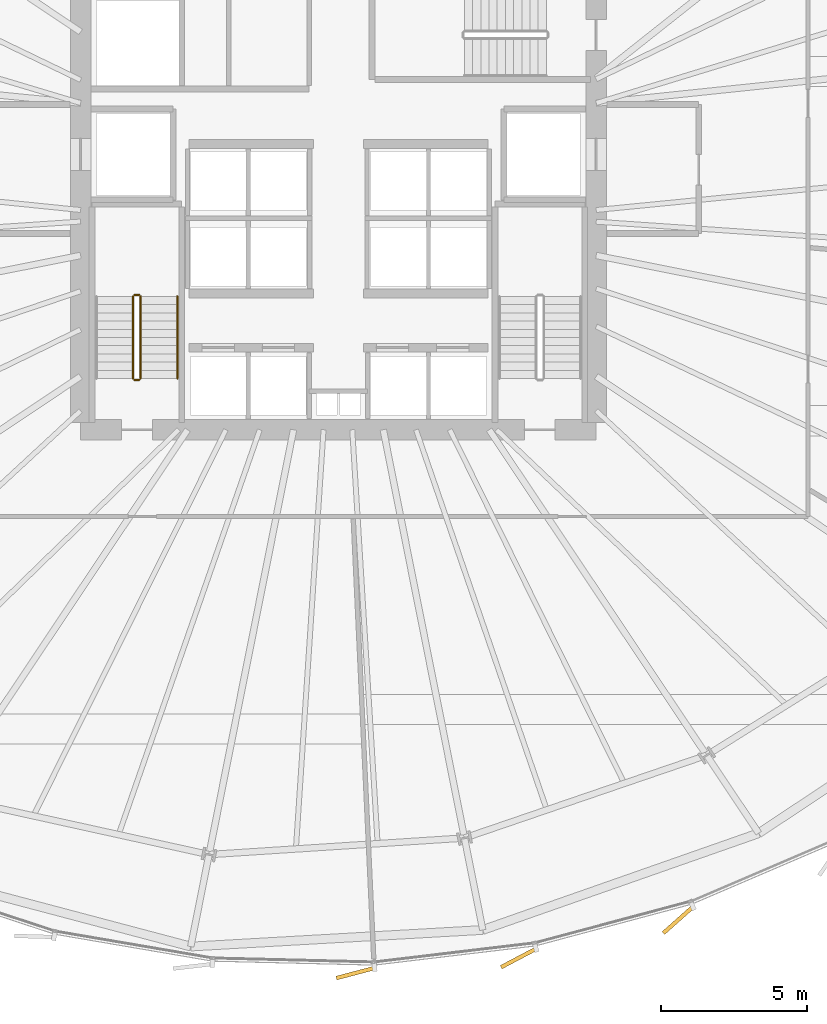
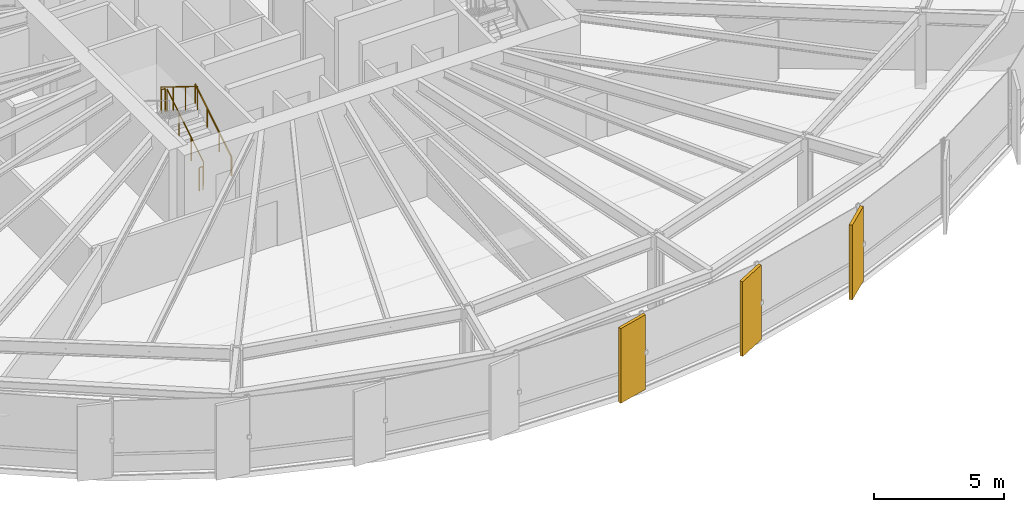
# One storey, part 34 of 39: 5 railings, 3 coverings.
"""IFC4 building model written with IfcOpenShell, lengths in metres."""

from ifc_helpers import new_model, si_unit, direction, frame, origin, origin_2d, place, context, subcontext, project, spatial, rectangle, circle, extrude, source, transform, mapped, material, layer, layer_set, type_object, element, save


model = new_model("IFC4")

# Units and contexts
model_context = context("Model", 3, precision=1e-05, world=origin(), true_north=direction((0.0, 1.0)))
body_context = subcontext(model_context, "Body", "Model", "MODEL_VIEW")
ifc_project = project(units=[si_unit("LENGTHUNIT", "METRE"), si_unit("AREAUNIT", "SQUARE_METRE"), si_unit("VOLUMEUNIT", "CUBIC_METRE"), si_unit("PLANEANGLEUNIT", "RADIAN"), si_unit("MASSUNIT", "GRAM", prefix="KILO"), si_unit("THERMODYNAMICTEMPERATUREUNIT", "KELVIN")], contexts=[model_context])

# Site, building, storey
site_placement = place(None, origin())
site = spatial("IfcSite", under=ifc_project, at=site_placement, CompositionType="ELEMENT")
building_placement = place(site_placement, origin())
building = spatial("IfcBuilding", under=site, at=building_placement, Name="Kethvar Cultural Tower", CompositionType="ELEMENT")
storey_placement = place(building_placement, frame((0.0, 0.0, 41.0)))
storey = spatial("IfcBuildingStorey", under=building, at=storey_placement, Name="L09", CompositionType="ELEMENT", Elevation=41.0)

# Railings
ifc_material_1 = material(Name="Steel S355J2", Category="steel")
railing_type_1 = type_object("IfcRailingType", Name="RL-STAIR-GUARD", PredefinedType="BALUSTRADE", material=ifc_material_1)
railing_1_placement = place(storey_placement, frame((40.050048828125, 21.85009765625, 0.172607421875)))
element("IfcRailing", 1, at=railing_1_placement, inside=storey, type_object=railing_type_1, Name="L09 ST-01 stair guard 1", PredefinedType="BALUSTRADE", context=body_context, shape_type="SweptSolid", body=[
    extrude(circle(Radius=0.02392578125, at=origin_2d()), frame((0.0, 0.0, 1.09619140625), z_axis=(0.0, 0.851069175582, 0.525053576669), x_axis=(-1.0, 0.0, 0.0)), (0.0, 0.0, 1.0), 3.289794921875),
    extrude(circle(Radius=0.02099609375, at=origin_2d()), origin(), (0.0, 0.0, 1.0), 1.072021484375),
    extrude(circle(Radius=0.02099609375, at=origin_2d()), frame((0.0, 0.933349609375, 0.57568359375)), (0.0, 0.0, 1.0), 1.072021484375),
    extrude(circle(Radius=0.02099609375, at=origin_2d()), frame((0.0, 1.866455078125, 1.151611328125)), (0.0, 0.0, 1.0), 1.072021484375),
    extrude(circle(Radius=0.02099609375, at=origin_2d()), frame((0.0, 2.7998046875, 1.727294921875)), (0.0, 0.0, 1.0), 1.072021484375),
])
railing_2_placement = place(storey_placement, frame((40.0, 24.699951171875, 1.89990234375)))
element("IfcRailing", 2, at=railing_2_placement, inside=storey, type_object=railing_type_1, Name="L09 ST-01 stair guard 2", PredefinedType="BALUSTRADE", context=body_context, shape_type="SweptSolid", body=[
    extrude(circle(Radius=0.02392578125, at=origin_2d()), frame((0.0, 0.0, 1.09619140625), z_axis=(-1.0, 0.0, 0.0), x_axis=(0.0, -1.0, 0.0)), (0.0, 0.0, 1.0), 0.159912109375),
    extrude(circle(Radius=0.02099609375, at=origin_2d()), origin(), (0.0, 0.0, 1.0), 1.072021484375),
    extrude(circle(Radius=0.02099609375, at=origin_2d()), frame((-0.159912109375, 0.0, 0.0)), (0.0, 0.0, 1.0), 1.072021484375),
])
railing_3_placement = place(storey_placement, frame((39.7900390625, 24.64990234375, 2.07275390625)))
element("IfcRailing", 3, at=railing_3_placement, inside=storey, type_object=railing_type_1, Name="L09 ST-01 stair guard 3", PredefinedType="BALUSTRADE", context=body_context, shape_type="SweptSolid", body=[
    extrude(circle(Radius=0.02392578125, at=origin_2d()), frame((0.0, 0.0, 1.09619140625), z_axis=(0.0, -0.851069175582, 0.525053576669), x_axis=(1.0, 0.0, 0.0)), (0.0, 0.0, 1.0), 3.289794921875),
    extrude(circle(Radius=0.02099609375, at=origin_2d()), origin(), (0.0, 0.0, 1.0), 1.072021484375),
    extrude(circle(Radius=0.02099609375, at=origin_2d()), frame((0.0, -0.933349609375, 0.57568359375)), (0.0, 0.0, 1.0), 1.072021484375),
    extrude(circle(Radius=0.02099609375, at=origin_2d()), frame((0.0, -1.866455078125, 1.151611328125)), (0.0, 0.0, 1.0), 1.072021484375),
    extrude(circle(Radius=0.02099609375, at=origin_2d()), frame((0.0, -2.7998046875, 1.727294921875)), (0.0, 0.0, 1.0), 1.072021484375),
])
railing_4_placement = place(storey_placement, frame((40.0, 21.800048828125, 0.0)))
element("IfcRailing", 4, at=railing_4_placement, inside=storey, type_object=railing_type_1, Name="L09 ST-01 stair guard 4", PredefinedType="BALUSTRADE", context=body_context, shape_type="SweptSolid", body=[
    extrude(circle(Radius=0.02392578125, at=origin_2d()), frame((0.0, 0.0, 1.09619140625), z_axis=(-1.0, 0.0, 0.0), x_axis=(0.0, -1.0, 0.0)), (0.0, 0.0, 1.0), 0.159912109375),
    extrude(circle(Radius=0.02099609375, at=origin_2d()), origin(), (0.0, 0.0, 1.0), 1.072021484375),
    extrude(circle(Radius=0.02099609375, at=origin_2d()), frame((-0.159912109375, 0.0, 0.0)), (0.0, 0.0, 1.0), 1.072021484375),
])
railing_type_2 = type_object("IfcRailingType", Name="RL-STAIR-HANDRAIL", PredefinedType="HANDRAIL", material=ifc_material_1)
railing_5_placement = place(storey_placement, frame((41.300048828125, 21.85009765625, 0.172607421875)))
element("IfcRailing", 5, at=railing_5_placement, inside=storey, type_object=railing_type_2, Name="L09 ST-01 stair handrail 1", PredefinedType="HANDRAIL", context=body_context, shape_type="SweptSolid", body=[
    extrude(circle(Radius=0.02392578125, at=origin_2d()), frame((0.0, 0.0, 0.8759765625), z_axis=(0.0, 0.851069175582, 0.525053576669), x_axis=(-1.0, 0.0, 0.0)), (0.0, 0.0, 1.0), 3.289794921875),
    extrude(circle(Radius=0.02099609375, at=origin_2d()), origin(), (0.0, 0.0, 1.0), 0.851806640625),
    extrude(circle(Radius=0.02099609375, at=origin_2d()), frame((0.0, 0.933349609375, 0.57568359375)), (0.0, 0.0, 1.0), 0.851806640625),
    extrude(circle(Radius=0.02099609375, at=origin_2d()), frame((0.0, 1.866455078125, 1.151611328125)), (0.0, 0.0, 1.0), 0.851806640625),
    extrude(circle(Radius=0.02099609375, at=origin_2d()), frame((0.0, 2.7998046875, 1.727294921875)), (0.0, 0.0, 1.0), 0.851806640625),
])

# Coverings
ifc_material_2 = material(Name="Extruded Architectural Terracotta", Category="masonry")
ifc_layer = layer(ifc_material_2, 0.135009765625, Name="Extruded Architectural Terracotta", Category="masonry")
ifc_layer_set = layer_set([ifc_layer], Name="Extruded Architectural Terracotta (135 mm)")
covering_type = type_object("IfcCoveringType", Name="Terracotta Facade Fin FIN-01", PredefinedType="CLADDING", material=ifc_layer_set)
shared_shape = source(origin(), body_context, "Body", "SweptSolid", [
    extrude(rectangle(XDim=1.35009765625, YDim=0.135009765625, at=origin_2d()), origin(), (0.0, 0.0, 1.0), 3.510009765625),
])
for number, where, z_axis, x_axis, name in (
    (6, (47.3828125, 1.553466796875, 0.02001953125), (0.0, 0.0, 1.0), (-0.966867957574, -0.255277011532, 0.0), "L09 Vertical Terracotta Fin 5.4"),
    (7, (52.95068359375, 2.067626953125, 0.02001953125), (0.0, 0.0, 1.0), (-0.884092091331, -0.467312715477, 0.0), "L09 Vertical Terracotta Fin 5.5"),
    (8, (58.396484375, 3.365234375, 0.02001953125), (0.0, 0.0, 1.0), (-0.746870345992, -0.664969688239, 0.0), "L09 Vertical Terracotta Fin 5.6"),
):
    element("IfcCovering", number, at=place(storey_placement, frame(where, z_axis=z_axis, x_axis=x_axis)), inside=storey, type_object=covering_type, Name=name, PredefinedType="CLADDING", context=body_context, shape_type="MappedRepresentation", body=[
        mapped(shared_shape, transform((0.0, 0.0, 0.0), scale=1.0)),
    ])

save(model, "model.ifc")
